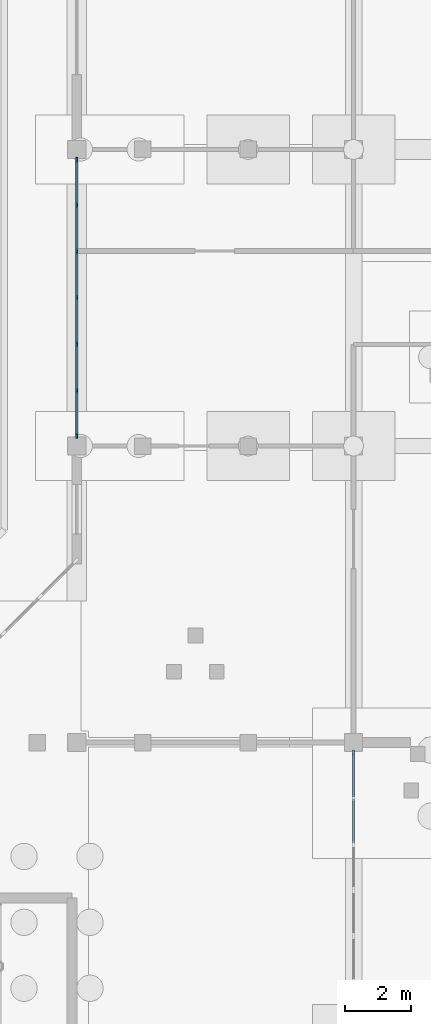
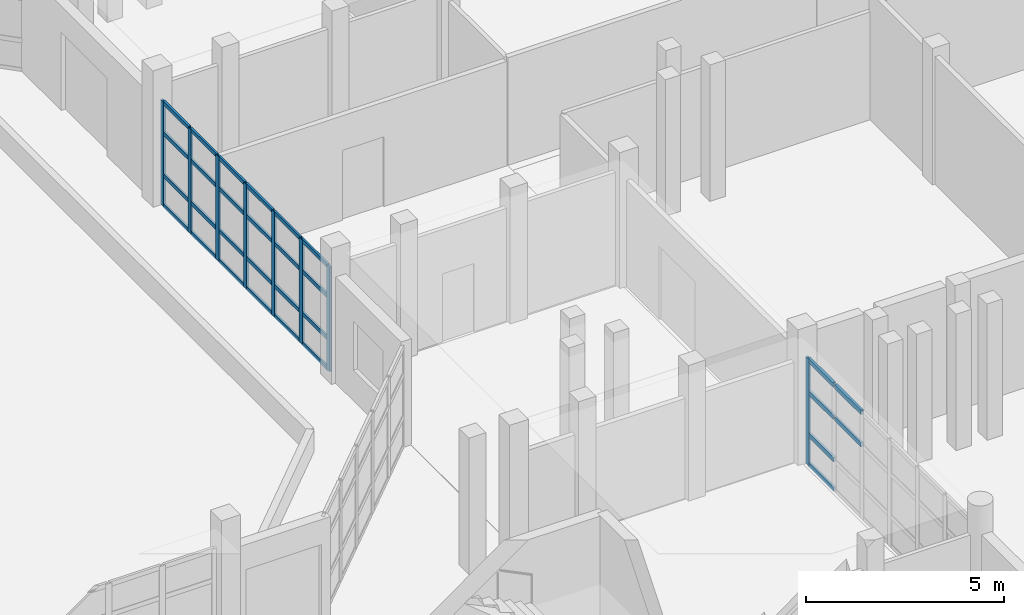
# One storey, part 28 of 88: 38 members, 2 elements without a shape of their own.
"""IFC4 building model written with IfcOpenShell, lengths in metres."""

from ifc_helpers import new_model, si_unit, direction, frame, origin, origin_2d, place, context, subcontext, project, spatial, rectangle, extrude, material, material_profile, profile_set, type_object, element, aggregate, save


model = new_model("IFC4")

# Units and contexts
model_context = context("Model", 3, precision=1e-05, world=origin(), true_north=direction((0.0, 1.0)))
body_context = subcontext(model_context, "Body", "Model", "MODEL_VIEW")
ifc_project = project(units=[si_unit("LENGTHUNIT", "METRE"), si_unit("AREAUNIT", "SQUARE_METRE"), si_unit("VOLUMEUNIT", "CUBIC_METRE"), si_unit("PLANEANGLEUNIT", "RADIAN"), si_unit("MASSUNIT", "GRAM", prefix="KILO")], contexts=[model_context])

# Site, building, storey
site_placement = place(None, origin())
site = spatial("IfcSite", under=ifc_project, at=site_placement, CompositionType="ELEMENT")
building_placement = place(site_placement, origin())
building = spatial("IfcBuilding", under=site, at=building_placement, Name="Vanh Quang Courtyard School", CompositionType="ELEMENT")
storey_placement = place(building_placement, origin())
storey = spatial("IfcBuildingStorey", under=building, at=storey_placement, Name="L00", CompositionType="ELEMENT", Elevation=0.0)

# Curtain wall, members
ifc_material_1 = material(Name="Thermally broken aluminium unitised curtain wall", Category="aluminium")
curtain_wall_type_1 = type_object("IfcCurtainWallType", Name="CW-SYS-18", PredefinedType="NOTDEFINED", material=ifc_material_1)
curtain_wall_1_placement = place(storey_placement, origin())
curtain_wall_1 = element("IfcCurtainWall", 1, at=curtain_wall_1_placement, inside=storey, type_object=curtain_wall_type_1, Name="Curtain Wall CW-18 (L00)", PredefinedType="NOTDEFINED")
ifc_material_2 = material(Name="Anodised aluminium 6063-T6", Category="aluminium")
ifc_material_profile_1 = material_profile(ifc_material_2, rectangle(XDim=0.06005859375, YDim=0.159912109375, at=origin_2d()), Name="ALU-MUL 60x160")
ifc_profile_set_1 = profile_set([ifc_material_profile_1], Name="Anodised aluminium 6063-T6")
member_type_1 = type_object("IfcMemberType", Name="CW-MUL-60x160", PredefinedType="MULLION", material=ifc_profile_set_1)
member_1_placement = place(storey_placement, frame((111.0, 50.712890625, 0.0), z_axis=(0.0, 0.0, 1.0), x_axis=(-1.0, 0.0, 0.0)))
member_1 = element("IfcMember", 2, at=member_1_placement, type_object=member_type_1, Name="CW-18 mullion 1", PredefinedType="MULLION", context=body_context, shape_type="SweptSolid", body=[
    extrude(rectangle(XDim=0.06005859375, YDim=0.159912109375, at=origin_2d()), origin(), (0.0, 0.0, 1.0), 3.219970703125),
])
member_2_placement = place(storey_placement, frame((111.0, 52.088623046875, 0.0), z_axis=(0.0, 0.0, 1.0), x_axis=(-1.0, 0.0, 0.0)))
member_2 = element("IfcMember", 3, at=member_2_placement, type_object=member_type_1, Name="CW-18 mullion 2", PredefinedType="MULLION", context=body_context, shape_type="SweptSolid", body=[
    extrude(rectangle(XDim=0.06005859375, YDim=0.159912109375, at=origin_2d()), origin(), (0.0, 0.0, 1.0), 3.219970703125),
])
member_3_placement = place(storey_placement, frame((111.0, 53.494384765625, 0.0), z_axis=(0.0, 0.0, 1.0), x_axis=(-1.0, 0.0, 0.0)))
member_3 = element("IfcMember", 4, at=member_3_placement, type_object=member_type_1, Name="CW-18 mullion 3", PredefinedType="MULLION", context=body_context, shape_type="SweptSolid", body=[
    extrude(rectangle(XDim=0.06005859375, YDim=0.159912109375, at=origin_2d()), origin(), (0.0, 0.0, 1.0), 3.219970703125),
])
member_4_placement = place(storey_placement, frame((111.0, 54.89990234375, 0.0), z_axis=(0.0, 0.0, 1.0), x_axis=(-1.0, 0.0, 0.0)))
member_4 = element("IfcMember", 5, at=member_4_placement, type_object=member_type_1, Name="CW-18 mullion 4", PredefinedType="MULLION", context=body_context, shape_type="SweptSolid", body=[
    extrude(rectangle(XDim=0.06005859375, YDim=0.159912109375, at=origin_2d()), origin(), (0.0, 0.0, 1.0), 3.219970703125),
])
member_5_placement = place(storey_placement, frame((111.0, 56.3056640625, 0.0), z_axis=(0.0, 0.0, 1.0), x_axis=(-1.0, 0.0, 0.0)))
member_5 = element("IfcMember", 6, at=member_5_placement, type_object=member_type_1, Name="CW-18 mullion 5", PredefinedType="MULLION", context=body_context, shape_type="SweptSolid", body=[
    extrude(rectangle(XDim=0.06005859375, YDim=0.159912109375, at=origin_2d()), origin(), (0.0, 0.0, 1.0), 3.219970703125),
])
member_6_placement = place(storey_placement, frame((111.0, 57.71142578125, 0.0), z_axis=(0.0, 0.0, 1.0), x_axis=(-1.0, 0.0, 0.0)))
member_6 = element("IfcMember", 7, at=member_6_placement, type_object=member_type_1, Name="CW-18 mullion 6", PredefinedType="MULLION", context=body_context, shape_type="SweptSolid", body=[
    extrude(rectangle(XDim=0.06005859375, YDim=0.159912109375, at=origin_2d()), origin(), (0.0, 0.0, 1.0), 3.219970703125),
])
member_7_placement = place(storey_placement, frame((111.0, 59.0869140625, 0.0), z_axis=(0.0, 0.0, 1.0), x_axis=(-1.0, 0.0, 0.0)))
member_7 = element("IfcMember", 8, at=member_7_placement, type_object=member_type_1, Name="CW-18 mullion 7", PredefinedType="MULLION", context=body_context, shape_type="SweptSolid", body=[
    extrude(rectangle(XDim=0.06005859375, YDim=0.159912109375, at=origin_2d()), origin(), (0.0, 0.0, 1.0), 3.219970703125),
])

# Curtain wall, member
curtain_wall_type_2 = type_object("IfcCurtainWallType", Name="CW-SYS-06", PredefinedType="NOTDEFINED", material=ifc_material_1)
curtain_wall_2_placement = place(storey_placement, origin())
curtain_wall_2 = element("IfcCurtainWall", 9, at=curtain_wall_2_placement, inside=storey, type_object=curtain_wall_type_2, Name="Curtain Wall CW-06 (L00)", PredefinedType="NOTDEFINED")
ifc_material_profile_2 = material_profile(ifc_material_2, rectangle(XDim=0.070068359375, YDim=0.179931640625, at=origin_2d()), Name="ALU-MUL 70x180")
ifc_profile_set_2 = profile_set([ifc_material_profile_2], Name="Anodised aluminium 6063-T6")
member_type_2 = type_object("IfcMemberType", Name="CW-MUL-70x180", PredefinedType="MULLION", material=ifc_profile_set_2)
member_8_placement = place(storey_placement, frame((119.39990234375, 41.08203125, 0.0), z_axis=(0.0, 0.0, 1.0), x_axis=(1.0, 0.0, 0.0)))
member_8 = element("IfcMember", 10, at=member_8_placement, type_object=member_type_2, Name="CW-06 mullion 1", PredefinedType="MULLION", context=body_context, shape_type="SweptSolid", body=[
    extrude(rectangle(XDim=0.070068359375, YDim=0.179931640625, at=origin_2d()), origin(), (0.0, 0.0, 1.0), 3.280029296875),
])

# Member
ifc_material_profile_3 = material_profile(ifc_material_2, rectangle(XDim=0.06005859375, YDim=0.1201171875, at=origin_2d()), Name="ALU-TRN 60x120")
ifc_profile_set_3 = profile_set([ifc_material_profile_3], Name="Anodised aluminium 6063-T6")
member_type_3 = type_object("IfcMemberType", Name="CW-TRN-60x120", PredefinedType="USERDEFINED", material=ifc_profile_set_3)
member_9_placement = place(storey_placement, frame((111.0, 50.742919921875, 0.030029296875), z_axis=(0.0, 1.0, 0.0), x_axis=(-1.0, 0.0, 0.0)))
member_9 = element("IfcMember", 11, at=member_9_placement, type_object=member_type_3, Name="CW-18 transom 1.1", ObjectType="TRANSOM", PredefinedType="USERDEFINED", context=body_context, shape_type="SweptSolid", body=[
    extrude(rectangle(XDim=0.06005859375, YDim=0.1201171875, at=origin_2d()), origin(), (0.0, 0.0, 1.0), 1.315673828125),
])

member_10_placement = place(storey_placement, frame((111.0, 50.742919921875, 0.949951171875), z_axis=(0.0, 1.0, 0.0), x_axis=(-1.0, 0.0, 0.0)))
member_10 = element("IfcMember", 12, at=member_10_placement, type_object=member_type_3, Name="CW-18 transom 1.2", ObjectType="TRANSOM", PredefinedType="USERDEFINED", context=body_context, shape_type="SweptSolid", body=[
    extrude(rectangle(XDim=0.06005859375, YDim=0.1201171875, at=origin_2d()), origin(), (0.0, 0.0, 1.0), 1.315673828125),
])

member_11_placement = place(storey_placement, frame((111.0, 50.742919921875, 2.25), z_axis=(0.0, 1.0, 0.0), x_axis=(-1.0, 0.0, 0.0)))
member_11 = element("IfcMember", 13, at=member_11_placement, type_object=member_type_3, Name="CW-18 transom 1.3", ObjectType="TRANSOM", PredefinedType="USERDEFINED", context=body_context, shape_type="SweptSolid", body=[
    extrude(rectangle(XDim=0.06005859375, YDim=0.1201171875, at=origin_2d()), origin(), (0.0, 0.0, 1.0), 1.315673828125),
])

member_12_placement = place(storey_placement, frame((111.0, 50.742919921875, 3.18994140625), z_axis=(0.0, 1.0, 0.0), x_axis=(-1.0, 0.0, 0.0)))
member_12 = element("IfcMember", 14, at=member_12_placement, type_object=member_type_3, Name="CW-18 transom 1.4", ObjectType="TRANSOM", PredefinedType="USERDEFINED", context=body_context, shape_type="SweptSolid", body=[
    extrude(rectangle(XDim=0.06005859375, YDim=0.1201171875, at=origin_2d()), origin(), (0.0, 0.0, 1.0), 1.315673828125),
])

member_13_placement = place(storey_placement, frame((111.0, 52.11865234375, 0.030029296875), z_axis=(0.0, 1.0, 0.0), x_axis=(-1.0, 0.0, 0.0)))
member_13 = element("IfcMember", 15, at=member_13_placement, type_object=member_type_3, Name="CW-18 transom 2.1", ObjectType="TRANSOM", PredefinedType="USERDEFINED", context=body_context, shape_type="SweptSolid", body=[
    extrude(rectangle(XDim=0.06005859375, YDim=0.1201171875, at=origin_2d()), origin(), (0.0, 0.0, 1.0), 1.345703125),
])

member_14_placement = place(storey_placement, frame((111.0, 52.11865234375, 0.949951171875), z_axis=(0.0, 1.0, 0.0), x_axis=(-1.0, 0.0, 0.0)))
member_14 = element("IfcMember", 16, at=member_14_placement, type_object=member_type_3, Name="CW-18 transom 2.2", ObjectType="TRANSOM", PredefinedType="USERDEFINED", context=body_context, shape_type="SweptSolid", body=[
    extrude(rectangle(XDim=0.06005859375, YDim=0.1201171875, at=origin_2d()), origin(), (0.0, 0.0, 1.0), 1.345703125),
])

member_15_placement = place(storey_placement, frame((111.0, 52.11865234375, 2.25), z_axis=(0.0, 1.0, 0.0), x_axis=(-1.0, 0.0, 0.0)))
member_15 = element("IfcMember", 17, at=member_15_placement, type_object=member_type_3, Name="CW-18 transom 2.3", ObjectType="TRANSOM", PredefinedType="USERDEFINED", context=body_context, shape_type="SweptSolid", body=[
    extrude(rectangle(XDim=0.06005859375, YDim=0.1201171875, at=origin_2d()), origin(), (0.0, 0.0, 1.0), 1.345703125),
])

member_16_placement = place(storey_placement, frame((111.0, 52.11865234375, 3.18994140625), z_axis=(0.0, 1.0, 0.0), x_axis=(-1.0, 0.0, 0.0)))
member_16 = element("IfcMember", 18, at=member_16_placement, type_object=member_type_3, Name="CW-18 transom 2.4", ObjectType="TRANSOM", PredefinedType="USERDEFINED", context=body_context, shape_type="SweptSolid", body=[
    extrude(rectangle(XDim=0.06005859375, YDim=0.1201171875, at=origin_2d()), origin(), (0.0, 0.0, 1.0), 1.345703125),
])

member_17_placement = place(storey_placement, frame((111.0, 53.5244140625, 0.030029296875), z_axis=(0.0, 1.0, 0.0), x_axis=(-1.0, 0.0, 0.0)))
member_17 = element("IfcMember", 19, at=member_17_placement, type_object=member_type_3, Name="CW-18 transom 3.1", ObjectType="TRANSOM", PredefinedType="USERDEFINED", context=body_context, shape_type="SweptSolid", body=[
    extrude(rectangle(XDim=0.06005859375, YDim=0.1201171875, at=origin_2d()), origin(), (0.0, 0.0, 1.0), 1.345703125),
])

member_18_placement = place(storey_placement, frame((111.0, 53.5244140625, 0.949951171875), z_axis=(0.0, 1.0, 0.0), x_axis=(-1.0, 0.0, 0.0)))
member_18 = element("IfcMember", 20, at=member_18_placement, type_object=member_type_3, Name="CW-18 transom 3.2", ObjectType="TRANSOM", PredefinedType="USERDEFINED", context=body_context, shape_type="SweptSolid", body=[
    extrude(rectangle(XDim=0.06005859375, YDim=0.1201171875, at=origin_2d()), origin(), (0.0, 0.0, 1.0), 1.345703125),
])

member_19_placement = place(storey_placement, frame((111.0, 53.5244140625, 2.25), z_axis=(0.0, 1.0, 0.0), x_axis=(-1.0, 0.0, 0.0)))
member_19 = element("IfcMember", 21, at=member_19_placement, type_object=member_type_3, Name="CW-18 transom 3.3", ObjectType="TRANSOM", PredefinedType="USERDEFINED", context=body_context, shape_type="SweptSolid", body=[
    extrude(rectangle(XDim=0.06005859375, YDim=0.1201171875, at=origin_2d()), origin(), (0.0, 0.0, 1.0), 1.345703125),
])

member_20_placement = place(storey_placement, frame((111.0, 53.5244140625, 3.18994140625), z_axis=(0.0, 1.0, 0.0), x_axis=(-1.0, 0.0, 0.0)))
member_20 = element("IfcMember", 22, at=member_20_placement, type_object=member_type_3, Name="CW-18 transom 3.4", ObjectType="TRANSOM", PredefinedType="USERDEFINED", context=body_context, shape_type="SweptSolid", body=[
    extrude(rectangle(XDim=0.06005859375, YDim=0.1201171875, at=origin_2d()), origin(), (0.0, 0.0, 1.0), 1.345703125),
])

member_21_placement = place(storey_placement, frame((111.0, 54.929931640625, 0.030029296875), z_axis=(0.0, 1.0, 0.0), x_axis=(-1.0, 0.0, 0.0)))
member_21 = element("IfcMember", 23, at=member_21_placement, type_object=member_type_3, Name="CW-18 transom 4.1", ObjectType="TRANSOM", PredefinedType="USERDEFINED", context=body_context, shape_type="SweptSolid", body=[
    extrude(rectangle(XDim=0.06005859375, YDim=0.1201171875, at=origin_2d()), origin(), (0.0, 0.0, 1.0), 1.345703125),
])

member_22_placement = place(storey_placement, frame((111.0, 54.929931640625, 0.949951171875), z_axis=(0.0, 1.0, 0.0), x_axis=(-1.0, 0.0, 0.0)))
member_22 = element("IfcMember", 24, at=member_22_placement, type_object=member_type_3, Name="CW-18 transom 4.2", ObjectType="TRANSOM", PredefinedType="USERDEFINED", context=body_context, shape_type="SweptSolid", body=[
    extrude(rectangle(XDim=0.06005859375, YDim=0.1201171875, at=origin_2d()), origin(), (0.0, 0.0, 1.0), 1.345703125),
])

member_23_placement = place(storey_placement, frame((111.0, 54.929931640625, 2.25), z_axis=(0.0, 1.0, 0.0), x_axis=(-1.0, 0.0, 0.0)))
member_23 = element("IfcMember", 25, at=member_23_placement, type_object=member_type_3, Name="CW-18 transom 4.3", ObjectType="TRANSOM", PredefinedType="USERDEFINED", context=body_context, shape_type="SweptSolid", body=[
    extrude(rectangle(XDim=0.06005859375, YDim=0.1201171875, at=origin_2d()), origin(), (0.0, 0.0, 1.0), 1.345703125),
])

member_24_placement = place(storey_placement, frame((111.0, 54.929931640625, 3.18994140625), z_axis=(0.0, 1.0, 0.0), x_axis=(-1.0, 0.0, 0.0)))
member_24 = element("IfcMember", 26, at=member_24_placement, type_object=member_type_3, Name="CW-18 transom 4.4", ObjectType="TRANSOM", PredefinedType="USERDEFINED", context=body_context, shape_type="SweptSolid", body=[
    extrude(rectangle(XDim=0.06005859375, YDim=0.1201171875, at=origin_2d()), origin(), (0.0, 0.0, 1.0), 1.345703125),
])

member_25_placement = place(storey_placement, frame((111.0, 56.335693359375, 0.030029296875), z_axis=(0.0, 1.0, 0.0), x_axis=(-1.0, 0.0, 0.0)))
member_25 = element("IfcMember", 27, at=member_25_placement, type_object=member_type_3, Name="CW-18 transom 5.1", ObjectType="TRANSOM", PredefinedType="USERDEFINED", context=body_context, shape_type="SweptSolid", body=[
    extrude(rectangle(XDim=0.06005859375, YDim=0.1201171875, at=origin_2d()), origin(), (0.0, 0.0, 1.0), 1.345703125),
])

member_26_placement = place(storey_placement, frame((111.0, 56.335693359375, 0.949951171875), z_axis=(0.0, 1.0, 0.0), x_axis=(-1.0, 0.0, 0.0)))
member_26 = element("IfcMember", 28, at=member_26_placement, type_object=member_type_3, Name="CW-18 transom 5.2", ObjectType="TRANSOM", PredefinedType="USERDEFINED", context=body_context, shape_type="SweptSolid", body=[
    extrude(rectangle(XDim=0.06005859375, YDim=0.1201171875, at=origin_2d()), origin(), (0.0, 0.0, 1.0), 1.345703125),
])

member_27_placement = place(storey_placement, frame((111.0, 56.335693359375, 2.25), z_axis=(0.0, 1.0, 0.0), x_axis=(-1.0, 0.0, 0.0)))
member_27 = element("IfcMember", 29, at=member_27_placement, type_object=member_type_3, Name="CW-18 transom 5.3", ObjectType="TRANSOM", PredefinedType="USERDEFINED", context=body_context, shape_type="SweptSolid", body=[
    extrude(rectangle(XDim=0.06005859375, YDim=0.1201171875, at=origin_2d()), origin(), (0.0, 0.0, 1.0), 1.345703125),
])

member_28_placement = place(storey_placement, frame((111.0, 56.335693359375, 3.18994140625), z_axis=(0.0, 1.0, 0.0), x_axis=(-1.0, 0.0, 0.0)))
member_28 = element("IfcMember", 30, at=member_28_placement, type_object=member_type_3, Name="CW-18 transom 5.4", ObjectType="TRANSOM", PredefinedType="USERDEFINED", context=body_context, shape_type="SweptSolid", body=[
    extrude(rectangle(XDim=0.06005859375, YDim=0.1201171875, at=origin_2d()), origin(), (0.0, 0.0, 1.0), 1.345703125),
])

member_29_placement = place(storey_placement, frame((111.0, 57.741455078125, 0.030029296875), z_axis=(0.0, 1.0, 0.0), x_axis=(-1.0, 0.0, 0.0)))
member_29 = element("IfcMember", 31, at=member_29_placement, type_object=member_type_3, Name="CW-18 transom 6.1", ObjectType="TRANSOM", PredefinedType="USERDEFINED", context=body_context, shape_type="SweptSolid", body=[
    extrude(rectangle(XDim=0.06005859375, YDim=0.1201171875, at=origin_2d()), origin(), (0.0, 0.0, 1.0), 1.3154296875),
])

member_30_placement = place(storey_placement, frame((111.0, 57.741455078125, 0.949951171875), z_axis=(0.0, 1.0, 0.0), x_axis=(-1.0, 0.0, 0.0)))
member_30 = element("IfcMember", 32, at=member_30_placement, type_object=member_type_3, Name="CW-18 transom 6.2", ObjectType="TRANSOM", PredefinedType="USERDEFINED", context=body_context, shape_type="SweptSolid", body=[
    extrude(rectangle(XDim=0.06005859375, YDim=0.1201171875, at=origin_2d()), origin(), (0.0, 0.0, 1.0), 1.3154296875),
])

member_31_placement = place(storey_placement, frame((111.0, 57.741455078125, 2.25), z_axis=(0.0, 1.0, 0.0), x_axis=(-1.0, 0.0, 0.0)))
member_31 = element("IfcMember", 33, at=member_31_placement, type_object=member_type_3, Name="CW-18 transom 6.3", ObjectType="TRANSOM", PredefinedType="USERDEFINED", context=body_context, shape_type="SweptSolid", body=[
    extrude(rectangle(XDim=0.06005859375, YDim=0.1201171875, at=origin_2d()), origin(), (0.0, 0.0, 1.0), 1.3154296875),
])

member_32_placement = place(storey_placement, frame((111.0, 57.741455078125, 3.18994140625), z_axis=(0.0, 1.0, 0.0), x_axis=(-1.0, 0.0, 0.0)))
member_32 = element("IfcMember", 34, at=member_32_placement, type_object=member_type_3, Name="CW-18 transom 6.4", ObjectType="TRANSOM", PredefinedType="USERDEFINED", context=body_context, shape_type="SweptSolid", body=[
    extrude(rectangle(XDim=0.06005859375, YDim=0.1201171875, at=origin_2d()), origin(), (0.0, 0.0, 1.0), 1.3154296875),
])

aggregate(curtain_wall_1, [member_1, member_2, member_3, member_4, member_5, member_6, member_7, member_9, member_10, member_11, member_12, member_13, member_14, member_15, member_16, member_17, member_18, member_19, member_20, member_21, member_22, member_23, member_24, member_25, member_26, member_27, member_28, member_29, member_30, member_31, member_32])

ifc_material_profile_4 = material_profile(ifc_material_2, rectangle(XDim=0.070068359375, YDim=0.139892578125, at=origin_2d()), Name="ALU-TRN 70x140")
ifc_profile_set_4 = profile_set([ifc_material_profile_4], Name="Anodised aluminium 6063-T6")
member_type_4 = type_object("IfcMemberType", Name="CW-TRN-70x140", PredefinedType="USERDEFINED", material=ifc_profile_set_4)
member_33_placement = place(storey_placement, frame((119.39990234375, 41.047119140625, 0.034912109375), z_axis=(0.0, -1.0, 0.0), x_axis=(1.0, 0.0, 0.0)))
member_33 = element("IfcMember", 35, at=member_33_placement, type_object=member_type_4, Name="CW-06 transom 1.1", ObjectType="TRANSOM", PredefinedType="USERDEFINED", context=body_context, shape_type="SweptSolid", body=[
    extrude(rectangle(XDim=0.070068359375, YDim=0.139892578125, at=origin_2d()), origin(), (0.0, 0.0, 1.0), 1.29248046875),
])

member_34_placement = place(storey_placement, frame((119.39990234375, 41.047119140625, 0.949951171875), z_axis=(0.0, -1.0, 0.0), x_axis=(1.0, 0.0, 0.0)))
member_34 = element("IfcMember", 36, at=member_34_placement, type_object=member_type_4, Name="CW-06 transom 1.2", ObjectType="TRANSOM", PredefinedType="USERDEFINED", context=body_context, shape_type="SweptSolid", body=[
    extrude(rectangle(XDim=0.070068359375, YDim=0.139892578125, at=origin_2d()), origin(), (0.0, 0.0, 1.0), 1.29248046875),
])

member_35_placement = place(storey_placement, frame((119.39990234375, 41.047119140625, 2.25), z_axis=(0.0, -1.0, 0.0), x_axis=(1.0, 0.0, 0.0)))
member_35 = element("IfcMember", 37, at=member_35_placement, type_object=member_type_4, Name="CW-06 transom 1.3", ObjectType="TRANSOM", PredefinedType="USERDEFINED", context=body_context, shape_type="SweptSolid", body=[
    extrude(rectangle(XDim=0.070068359375, YDim=0.139892578125, at=origin_2d()), origin(), (0.0, 0.0, 1.0), 1.29248046875),
])

member_36_placement = place(storey_placement, frame((119.39990234375, 41.047119140625, 3.2451171875), z_axis=(0.0, -1.0, 0.0), x_axis=(1.0, 0.0, 0.0)))
member_36 = element("IfcMember", 38, at=member_36_placement, type_object=member_type_4, Name="CW-06 transom 1.4", ObjectType="TRANSOM", PredefinedType="USERDEFINED", context=body_context, shape_type="SweptSolid", body=[
    extrude(rectangle(XDim=0.070068359375, YDim=0.139892578125, at=origin_2d()), origin(), (0.0, 0.0, 1.0), 1.29248046875),
])

member_37_placement = place(storey_placement, frame((119.39990234375, 39.6845703125, 2.25), z_axis=(0.0, -1.0, 0.0), x_axis=(1.0, 0.0, 0.0)))
member_37 = element("IfcMember", 39, at=member_37_placement, type_object=member_type_4, Name="CW-06 transom 2.3", ObjectType="TRANSOM", PredefinedType="USERDEFINED", context=body_context, shape_type="SweptSolid", body=[
    extrude(rectangle(XDim=0.070068359375, YDim=0.139892578125, at=origin_2d()), origin(), (0.0, 0.0, 1.0), 1.3271484375),
])

member_38_placement = place(storey_placement, frame((119.39990234375, 39.6845703125, 3.2451171875), z_axis=(0.0, -1.0, 0.0), x_axis=(1.0, 0.0, 0.0)))
member_38 = element("IfcMember", 40, at=member_38_placement, type_object=member_type_4, Name="CW-06 transom 2.4", ObjectType="TRANSOM", PredefinedType="USERDEFINED", context=body_context, shape_type="SweptSolid", body=[
    extrude(rectangle(XDim=0.070068359375, YDim=0.139892578125, at=origin_2d()), origin(), (0.0, 0.0, 1.0), 1.3271484375),
])

aggregate(curtain_wall_2, [member_8, member_33, member_34, member_35, member_36, member_37, member_38])

save(model, "model.ifc")
